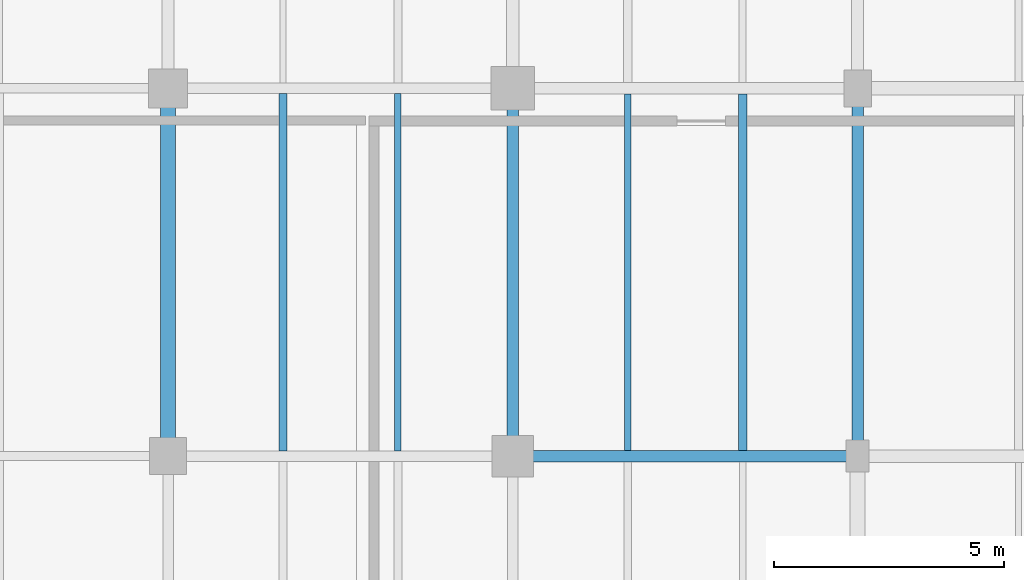
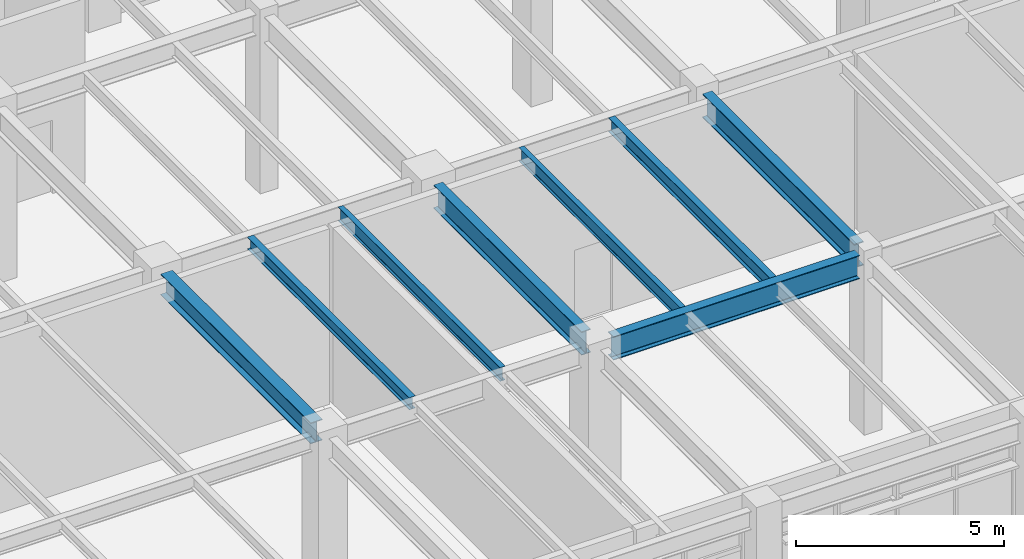
# One storey, part 65 of 203: 8 beams.
"""IFC4 building model written with IfcOpenShell, lengths in metres."""

from ifc_helpers import new_model, si_unit, direction, frame, origin, origin_2d, place, context, subcontext, project, spatial, i_section, extrude, material, material_profile, profile_set, type_object, element, save


model = new_model("IFC4")

# Units and contexts
model_context = context("Model", 3, precision=1e-05, world=origin(), true_north=direction((0.0, 1.0)))
body_context = subcontext(model_context, "Body", "Model", "MODEL_VIEW")
ifc_project = project(units=[si_unit("LENGTHUNIT", "METRE"), si_unit("AREAUNIT", "SQUARE_METRE"), si_unit("VOLUMEUNIT", "CUBIC_METRE"), si_unit("PLANEANGLEUNIT", "RADIAN"), si_unit("MASSUNIT", "GRAM", prefix="KILO"), si_unit("THERMODYNAMICTEMPERATUREUNIT", "KELVIN"), si_unit("POWERUNIT", "WATT")], contexts=[model_context])

# Site, building, storey
site_placement = place(None, origin())
site = spatial("IfcSite", under=ifc_project, at=site_placement, CompositionType="ELEMENT")
building_placement = place(site_placement, origin())
building = spatial("IfcBuilding", under=site, at=building_placement, Name="Tepalcoro Natatorium and Aquatics Centre", CompositionType="ELEMENT")
storey_placement = place(building_placement, origin())
storey = spatial("IfcBuildingStorey", under=building, at=storey_placement, Name="L00", CompositionType="ELEMENT", Elevation=0.0)

# Beams
ifc_material = material(Name="Steel ASTM A992 Grade 50 (Fy 345 MPa)", Category="steel")
ifc_material_profile_1 = material_profile(ifc_material, i_section(OverallWidth=0.324951171875, OverallDepth=0.616943359375, WebThickness=0.013916015625, FlangeThickness=0.02197265625, FilletRadius=0.013916015625, at=origin_2d()), Name="W24X117")
ifc_profile_set_1 = profile_set([ifc_material_profile_1], Name="Steel ASTM A992 Grade 50 (Fy 345 MPa)")
beam_type_1 = type_object("IfcBeamType", Name="BM_W24x117", PredefinedType="BEAM", material=ifc_profile_set_1)
beam_1_placement = place(storey_placement, frame((21.0, 94.385009765625, 4.83642578125), z_axis=(0.0, 1.0, 0.0), x_axis=(-1.0, 0.0, 0.0)))
element("IfcBeam", 1, at=beam_1_placement, inside=storey, type_object=beam_type_1, Name="V4 L00 Grid Girder Y", PredefinedType="BEAM", context=body_context, shape_type="SweptSolid", body=[
    extrude(i_section(OverallWidth=0.324951171875, OverallDepth=0.616943359375, WebThickness=0.013916015625, FlangeThickness=0.02197265625, FilletRadius=0.013916015625, at=origin_2d()), origin(), (0.0, 0.0, 1.0), 7.205078125),
])
ifc_material_profile_2 = material_profile(ifc_material, i_section(OverallWidth=0.25390625, OverallDepth=0.68798828125, WebThickness=0.012939453125, FlangeThickness=0.02099609375, FilletRadius=0.013916015625, at=origin_2d()), Name="W27X102")
ifc_profile_set_2 = profile_set([ifc_material_profile_2], Name="Steel ASTM A992 Grade 50 (Fy 345 MPa)")
beam_type_2 = type_object("IfcBeamType", Name="BM_W27x102", PredefinedType="BEAM", material=ifc_profile_set_2)
beam_2_placement = place(storey_placement, frame((28.93505859375, 94.0, 4.801025390625), z_axis=(1.0, 0.0, 0.0), x_axis=(0.0, 1.0, 0.0)))
element("IfcBeam", 2, at=beam_2_placement, inside=storey, type_object=beam_type_2, Name="V4 L00 Grid Girder X", PredefinedType="BEAM", context=body_context, shape_type="SweptSolid", body=[
    extrude(i_section(OverallWidth=0.25390625, OverallDepth=0.68798828125, WebThickness=0.012939453125, FlangeThickness=0.02099609375, FilletRadius=0.013916015625, at=origin_2d()), origin(), (0.0, 0.0, 1.0), 6.829833984375),
])
beam_3_placement = place(storey_placement, frame((28.5, 94.43505859375, 4.801025390625), z_axis=(0.0, 1.0, 0.0), x_axis=(-1.0, 0.0, 0.0)))
element("IfcBeam", 3, at=beam_3_placement, inside=storey, type_object=beam_type_2, Name="V4 L00 Grid Girder Y", PredefinedType="BEAM", context=body_context, shape_type="SweptSolid", body=[
    extrude(i_section(OverallWidth=0.25390625, OverallDepth=0.68798828125, WebThickness=0.012939453125, FlangeThickness=0.02099609375, FilletRadius=0.013916015625, at=origin_2d()), origin(), (0.0, 0.0, 1.0), 7.10498046875),
])
ifc_material_profile_3 = material_profile(ifc_material, i_section(OverallWidth=0.25390625, OverallDepth=0.700927734375, WebThickness=0.014892578125, FlangeThickness=0.028076171875, FilletRadius=0.013916015625, at=origin_2d()), Name="W27X129")
ifc_profile_set_3 = profile_set([ifc_material_profile_3], Name="Steel ASTM A992 Grade 50 (Fy 345 MPa)")
beam_type_3 = type_object("IfcBeamType", Name="BM_W27x129", PredefinedType="BEAM", material=ifc_profile_set_3)
beam_4_placement = place(storey_placement, frame((36.0, 94.3349609375, 4.79443359375), z_axis=(0.0, 1.0, 0.0), x_axis=(-1.0, 0.0, 0.0)))
element("IfcBeam", 4, at=beam_4_placement, inside=storey, type_object=beam_type_3, Name="V4 L00 Grid Girder Y", PredefinedType="BEAM", context=body_context, shape_type="SweptSolid", body=[
    extrude(i_section(OverallWidth=0.25390625, OverallDepth=0.700927734375, WebThickness=0.014892578125, FlangeThickness=0.028076171875, FilletRadius=0.013916015625, at=origin_2d()), origin(), (0.0, 0.0, 1.0), 7.280029296875),
])
ifc_material_profile_4 = material_profile(ifc_material, i_section(OverallWidth=0.172119140625, OverallDepth=0.35791015625, WebThickness=0.008056640625, FlangeThickness=0.012939453125, FilletRadius=0.013916015625, at=origin_2d()), Name="W14X38")
ifc_profile_set_4 = profile_set([ifc_material_profile_4], Name="Steel ASTM A992 Grade 50 (Fy 345 MPa)")
beam_type_4 = type_object("IfcBeamType", Name="JS_W14x38", PredefinedType="JOIST", material=ifc_profile_set_4)
beam_5_placement = place(storey_placement, frame((23.5, 94.114013671875, 4.966064453125), z_axis=(0.0, 1.0, 0.0), x_axis=(-1.0, 0.0, 0.0)))
element("IfcBeam", 5, at=beam_5_placement, inside=storey, type_object=beam_type_4, Name="V4 L00 Floor Joist", PredefinedType="JOIST", context=body_context, shape_type="SweptSolid", body=[
    extrude(i_section(OverallWidth=0.172119140625, OverallDepth=0.35791015625, WebThickness=0.008056640625, FlangeThickness=0.012939453125, FilletRadius=0.013916015625, at=origin_2d()), origin(), (0.0, 0.0, 1.0), 7.77099609375),
])
ifc_material_profile_5 = material_profile(ifc_material, i_section(OverallWidth=0.139892578125, OverallDepth=0.404052734375, WebThickness=0.007080078125, FlangeThickness=0.010986328125, FilletRadius=0.013916015625, at=origin_2d()), Name="W16X31")
ifc_profile_set_5 = profile_set([ifc_material_profile_5], Name="Steel ASTM A992 Grade 50 (Fy 345 MPa)")
beam_type_5 = type_object("IfcBeamType", Name="JS_W16x31", PredefinedType="JOIST", material=ifc_profile_set_5)
beam_6_placement = place(storey_placement, frame((26.0, 94.114013671875, 4.943115234375), z_axis=(0.0, 1.0, 0.0), x_axis=(-1.0, 0.0, 0.0)))
element("IfcBeam", 6, at=beam_6_placement, inside=storey, type_object=beam_type_5, Name="V4 L00 Floor Joist", PredefinedType="JOIST", context=body_context, shape_type="SweptSolid", body=[
    extrude(i_section(OverallWidth=0.139892578125, OverallDepth=0.404052734375, WebThickness=0.007080078125, FlangeThickness=0.010986328125, FilletRadius=0.013916015625, at=origin_2d()), origin(), (0.0, 0.0, 1.0), 7.77099609375),
])
beam_7_placement = place(storey_placement, frame((31.0, 94.126953125, 4.943115234375), z_axis=(0.0, 1.0, 0.0), x_axis=(-1.0, 0.0, 0.0)))
element("IfcBeam", 7, at=beam_7_placement, inside=storey, type_object=beam_type_5, Name="V4 L00 Floor Joist", PredefinedType="JOIST", context=body_context, shape_type="SweptSolid", body=[
    extrude(i_section(OverallWidth=0.139892578125, OverallDepth=0.404052734375, WebThickness=0.007080078125, FlangeThickness=0.010986328125, FilletRadius=0.013916015625, at=origin_2d()), origin(), (0.0, 0.0, 1.0), 7.74609375),
])
ifc_material_profile_6 = material_profile(ifc_material, i_section(OverallWidth=0.178955078125, OverallDepth=0.409912109375, WebThickness=0.009033203125, FlangeThickness=0.013916015625, FilletRadius=0.013916015625, at=origin_2d()), Name="W16X45")
ifc_profile_set_6 = profile_set([ifc_material_profile_6], Name="Steel ASTM A992 Grade 50 (Fy 345 MPa)")
beam_type_6 = type_object("IfcBeamType", Name="JS_W16x45", PredefinedType="JOIST", material=ifc_profile_set_6)
beam_8_placement = place(storey_placement, frame((33.5, 94.126953125, 4.93994140625), z_axis=(0.0, 1.0, 0.0), x_axis=(-1.0, 0.0, 0.0)))
element("IfcBeam", 8, at=beam_8_placement, inside=storey, type_object=beam_type_6, Name="V4 L00 Floor Joist", PredefinedType="JOIST", context=body_context, shape_type="SweptSolid", body=[
    extrude(i_section(OverallWidth=0.178955078125, OverallDepth=0.409912109375, WebThickness=0.009033203125, FlangeThickness=0.013916015625, FilletRadius=0.013916015625, at=origin_2d()), origin(), (0.0, 0.0, 1.0), 7.74609375),
])

save(model, "model.ifc")
